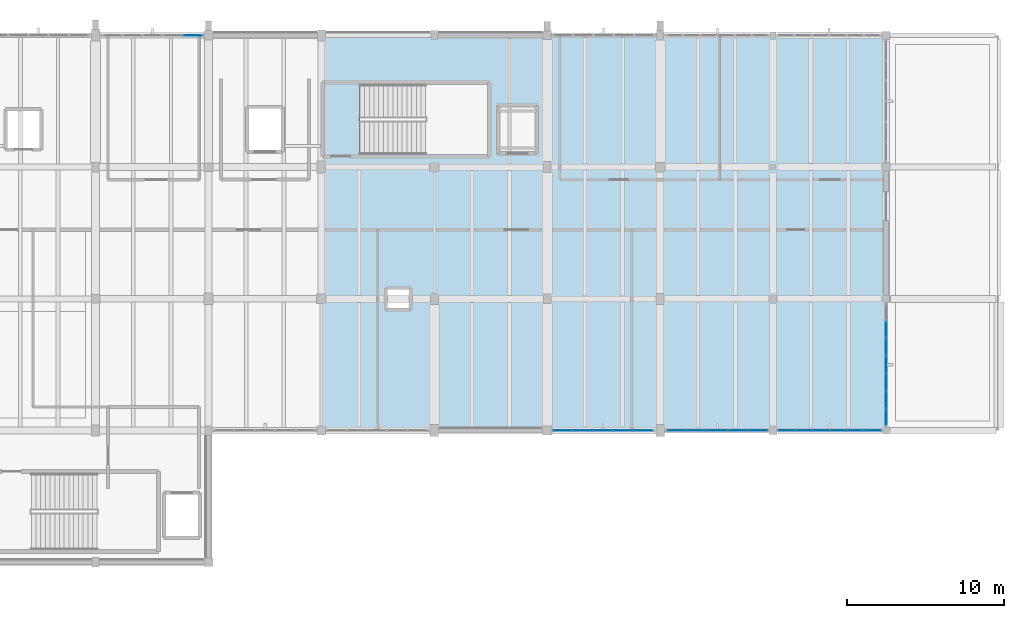
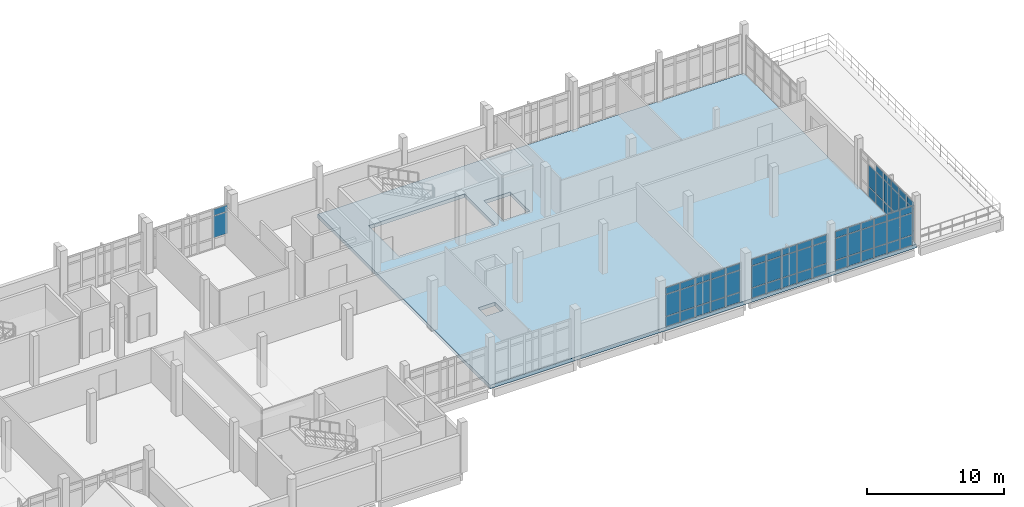
# One storey, part 29 of 41: 67 plates, 1 slab, 5 elements without a shape of their own.
"""IFC4 building model written with IfcOpenShell, lengths in metres."""

from ifc_helpers import new_model, si_unit, direction, frame, origin, origin_2d, place, context, subcontext, project, spatial, polyline, rectangle, outline, extrude, material, layer, layer_set, type_object, element, aggregate, save


model = new_model("IFC4")

# Units and contexts
model_context = context("Model", 3, precision=1e-05, world=origin(), true_north=direction((0.0, 1.0)))
body_context = subcontext(model_context, "Body", "Model", "MODEL_VIEW")
ifc_project = project(units=[si_unit("LENGTHUNIT", "METRE"), si_unit("AREAUNIT", "SQUARE_METRE"), si_unit("VOLUMEUNIT", "CUBIC_METRE"), si_unit("PLANEANGLEUNIT", "RADIAN"), si_unit("MASSUNIT", "GRAM", prefix="KILO")], contexts=[model_context])

# Site, building, storey
site_placement = place(None, origin())
site = spatial("IfcSite", under=ifc_project, at=site_placement, CompositionType="ELEMENT")
building_placement = place(site_placement, origin())
building = spatial("IfcBuilding", under=site, at=building_placement, Name="Kalluvel Institute of Natural Sciences", CompositionType="ELEMENT")
storey_placement = place(building_placement, frame((0.0, 0.0, 32.39990234375)))
storey = spatial("IfcBuildingStorey", under=building, at=storey_placement, Name="L07", CompositionType="ELEMENT", Elevation=32.39990234375)

# Curtain wall, plates
ifc_material_1 = material(Name="Aluminium AW-6063 T6", Category="aluminium")
curtain_wall_type = type_object("IfcCurtainWallType", Name="CW-WET-45", PredefinedType="USERDEFINED", material=ifc_material_1)
curtain_wall_1_placement = place(storey_placement, origin())
curtain_wall_1 = element("IfcCurtainWall", 1, at=curtain_wall_1_placement, inside=storey, type_object=curtain_wall_type, Name="L07 Gothic lancet curtain wall CWA-L07-X504-Y1280", ObjectType="UNITISED LANCET FACADE", PredefinedType="USERDEFINED")
ifc_material_2 = material(Name="Solar-Control Low-E Laminated Glass", Category="glass")
ifc_layer_1 = layer(ifc_material_2, 0.031982421875)
ifc_layer_set_1 = layer_set([ifc_layer_1], Name="Solar-Control Low-E Laminated Glass")
plate_type = type_object("IfcPlateType", Name="CWP-DGU-32", PredefinedType="CURTAIN_PANEL", material=ifc_layer_set_1)
plate_1_placement = place(storey_placement, frame((56.191162109375, 128.0, 0.982666015625), z_axis=(0.0, 0.0, 1.0), x_axis=(1.0, 0.0, 0.0)))
plate_1 = element("IfcPlate", 2, at=plate_1_placement, type_object=plate_type, Name="CW-01 panel 5.2", PredefinedType="CURTAIN_PANEL", context=body_context, shape_type="SweptSolid", body=[
    extrude(rectangle(XDim=1.1875, YDim=0.031982421875, at=origin_2d()), origin(), (0.0, 0.0, 1.0), 1.9150390625),
])
plate_2_placement = place(storey_placement, frame((56.191162109375, 128.0, 2.96240234375), z_axis=(0.0, 0.0, 1.0), x_axis=(1.0, 0.0, 0.0)))
plate_2 = element("IfcPlate", 3, at=plate_2_placement, type_object=plate_type, Name="CW-01 panel 5.3", PredefinedType="CURTAIN_PANEL", context=body_context, shape_type="SweptSolid", body=[
    extrude(rectangle(XDim=1.1875, YDim=0.031982421875, at=origin_2d()), origin(), (0.0, 0.0, 1.0), 0.552490234375),
])
aggregate(curtain_wall_1, [plate_1, plate_2])

curtain_wall_2_placement = place(storey_placement, origin())
curtain_wall_2 = element("IfcCurtainWall", 4, at=curtain_wall_2_placement, inside=storey, type_object=curtain_wall_type, Name="L07 Gothic lancet curtain wall CWA-L07-X792-Y1028", ObjectType="UNITISED LANCET FACADE", PredefinedType="USERDEFINED")
plate_3_placement = place(storey_placement, frame((79.808837890625, 102.800048828125, 0.065185546875), z_axis=(0.0, 0.0, 1.0), x_axis=(1.0, 0.0, 0.0)))
plate_3 = element("IfcPlate", 5, at=plate_3_placement, type_object=plate_type, Name="CW-01 panel 1.1", PredefinedType="CURTAIN_PANEL", context=body_context, shape_type="SweptSolid", body=[
    extrude(rectangle(XDim=1.1875, YDim=0.031982421875, at=origin_2d()), origin(), (0.0, 0.0, 1.0), 0.8525390625),
])
plate_4_placement = place(storey_placement, frame((79.808837890625, 102.800048828125, 0.982666015625), z_axis=(0.0, 0.0, 1.0), x_axis=(1.0, 0.0, 0.0)))
plate_4 = element("IfcPlate", 6, at=plate_4_placement, type_object=plate_type, Name="CW-01 panel 1.2", PredefinedType="CURTAIN_PANEL", context=body_context, shape_type="SweptSolid", body=[
    extrude(rectangle(XDim=1.1875, YDim=0.031982421875, at=origin_2d()), origin(), (0.0, 0.0, 1.0), 1.9150390625),
])
plate_5_placement = place(storey_placement, frame((79.808837890625, 102.800048828125, 2.96240234375), z_axis=(0.0, 0.0, 1.0), x_axis=(1.0, 0.0, 0.0)))
plate_5 = element("IfcPlate", 7, at=plate_5_placement, type_object=plate_type, Name="CW-01 panel 1.3", PredefinedType="CURTAIN_PANEL", context=body_context, shape_type="SweptSolid", body=[
    extrude(rectangle(XDim=1.1875, YDim=0.031982421875, at=origin_2d()), origin(), (0.0, 0.0, 1.0), 0.552490234375),
])
plate_6_placement = place(storey_placement, frame((81.077392578125, 102.800048828125, 0.065185546875), z_axis=(0.0, 0.0, 1.0), x_axis=(1.0, 0.0, 0.0)))
plate_6 = element("IfcPlate", 8, at=plate_6_placement, type_object=plate_type, Name="CW-01 panel 2.1", PredefinedType="CURTAIN_PANEL", context=body_context, shape_type="SweptSolid", body=[
    extrude(rectangle(XDim=1.219970703125, YDim=0.031982421875, at=origin_2d()), origin(), (0.0, 0.0, 1.0), 0.8525390625),
])
plate_7_placement = place(storey_placement, frame((81.077392578125, 102.800048828125, 0.982666015625), z_axis=(0.0, 0.0, 1.0), x_axis=(1.0, 0.0, 0.0)))
plate_7 = element("IfcPlate", 9, at=plate_7_placement, type_object=plate_type, Name="CW-01 panel 2.2", PredefinedType="CURTAIN_PANEL", context=body_context, shape_type="SweptSolid", body=[
    extrude(rectangle(XDim=1.219970703125, YDim=0.031982421875, at=origin_2d()), origin(), (0.0, 0.0, 1.0), 1.9150390625),
])
plate_8_placement = place(storey_placement, frame((81.077392578125, 102.800048828125, 2.96240234375), z_axis=(0.0, 0.0, 1.0), x_axis=(1.0, 0.0, 0.0)))
plate_8 = element("IfcPlate", 10, at=plate_8_placement, type_object=plate_type, Name="CW-01 panel 2.3", PredefinedType="CURTAIN_PANEL", context=body_context, shape_type="SweptSolid", body=[
    extrude(rectangle(XDim=1.219970703125, YDim=0.031982421875, at=origin_2d()), origin(), (0.0, 0.0, 1.0), 0.552490234375),
])
plate_9_placement = place(storey_placement, frame((82.362548828125, 102.800048828125, 0.065185546875), z_axis=(0.0, 0.0, 1.0), x_axis=(1.0, 0.0, 0.0)))
plate_9 = element("IfcPlate", 11, at=plate_9_placement, type_object=plate_type, Name="CW-01 panel 3.1", PredefinedType="CURTAIN_PANEL", context=body_context, shape_type="SweptSolid", body=[
    extrude(rectangle(XDim=1.219970703125, YDim=0.031982421875, at=origin_2d()), origin(), (0.0, 0.0, 1.0), 0.8525390625),
])
plate_10_placement = place(storey_placement, frame((82.362548828125, 102.800048828125, 0.982666015625), z_axis=(0.0, 0.0, 1.0), x_axis=(1.0, 0.0, 0.0)))
plate_10 = element("IfcPlate", 12, at=plate_10_placement, type_object=plate_type, Name="CW-01 panel 3.2", PredefinedType="CURTAIN_PANEL", context=body_context, shape_type="SweptSolid", body=[
    extrude(rectangle(XDim=1.219970703125, YDim=0.031982421875, at=origin_2d()), origin(), (0.0, 0.0, 1.0), 1.9150390625),
])
plate_11_placement = place(storey_placement, frame((82.362548828125, 102.800048828125, 2.96240234375), z_axis=(0.0, 0.0, 1.0), x_axis=(1.0, 0.0, 0.0)))
plate_11 = element("IfcPlate", 13, at=plate_11_placement, type_object=plate_type, Name="CW-01 panel 3.3", PredefinedType="CURTAIN_PANEL", context=body_context, shape_type="SweptSolid", body=[
    extrude(rectangle(XDim=1.219970703125, YDim=0.031982421875, at=origin_2d()), origin(), (0.0, 0.0, 1.0), 0.552490234375),
])
plate_12_placement = place(storey_placement, frame((83.6474609375, 102.800048828125, 0.065185546875), z_axis=(0.0, 0.0, 1.0), x_axis=(1.0, 0.0, 0.0)))
plate_12 = element("IfcPlate", 14, at=plate_12_placement, type_object=plate_type, Name="CW-01 panel 4.1", PredefinedType="CURTAIN_PANEL", context=body_context, shape_type="SweptSolid", body=[
    extrude(rectangle(XDim=1.219970703125, YDim=0.031982421875, at=origin_2d()), origin(), (0.0, 0.0, 1.0), 0.8525390625),
])
plate_13_placement = place(storey_placement, frame((83.6474609375, 102.800048828125, 0.982666015625), z_axis=(0.0, 0.0, 1.0), x_axis=(1.0, 0.0, 0.0)))
plate_13 = element("IfcPlate", 15, at=plate_13_placement, type_object=plate_type, Name="CW-01 panel 4.2", PredefinedType="CURTAIN_PANEL", context=body_context, shape_type="SweptSolid", body=[
    extrude(rectangle(XDim=1.219970703125, YDim=0.031982421875, at=origin_2d()), origin(), (0.0, 0.0, 1.0), 1.9150390625),
])
plate_14_placement = place(storey_placement, frame((83.6474609375, 102.800048828125, 2.96240234375), z_axis=(0.0, 0.0, 1.0), x_axis=(1.0, 0.0, 0.0)))
plate_14 = element("IfcPlate", 16, at=plate_14_placement, type_object=plate_type, Name="CW-01 panel 4.3", PredefinedType="CURTAIN_PANEL", context=body_context, shape_type="SweptSolid", body=[
    extrude(rectangle(XDim=1.219970703125, YDim=0.031982421875, at=origin_2d()), origin(), (0.0, 0.0, 1.0), 0.552490234375),
])
plate_15_placement = place(storey_placement, frame((84.916259765625, 102.800048828125, 0.065185546875), z_axis=(0.0, 0.0, 1.0), x_axis=(1.0, 0.0, 0.0)))
plate_15 = element("IfcPlate", 17, at=plate_15_placement, type_object=plate_type, Name="CW-01 panel 5.1", PredefinedType="CURTAIN_PANEL", context=body_context, shape_type="SweptSolid", body=[
    extrude(rectangle(XDim=1.1875, YDim=0.031982421875, at=origin_2d()), origin(), (0.0, 0.0, 1.0), 0.8525390625),
])
plate_16_placement = place(storey_placement, frame((84.916259765625, 102.800048828125, 0.982666015625), z_axis=(0.0, 0.0, 1.0), x_axis=(1.0, 0.0, 0.0)))
plate_16 = element("IfcPlate", 18, at=plate_16_placement, type_object=plate_type, Name="CW-01 panel 5.2", PredefinedType="CURTAIN_PANEL", context=body_context, shape_type="SweptSolid", body=[
    extrude(rectangle(XDim=1.1875, YDim=0.031982421875, at=origin_2d()), origin(), (0.0, 0.0, 1.0), 1.9150390625),
])
plate_17_placement = place(storey_placement, frame((84.916259765625, 102.800048828125, 2.96240234375), z_axis=(0.0, 0.0, 1.0), x_axis=(1.0, 0.0, 0.0)))
plate_17 = element("IfcPlate", 19, at=plate_17_placement, type_object=plate_type, Name="CW-01 panel 5.3", PredefinedType="CURTAIN_PANEL", context=body_context, shape_type="SweptSolid", body=[
    extrude(rectangle(XDim=1.1875, YDim=0.031982421875, at=origin_2d()), origin(), (0.0, 0.0, 1.0), 0.552490234375),
])
aggregate(curtain_wall_2, [plate_3, plate_4, plate_5, plate_6, plate_7, plate_8, plate_9, plate_10, plate_11, plate_12, plate_13, plate_14, plate_15, plate_16, plate_17])

curtain_wall_3_placement = place(storey_placement, origin())
curtain_wall_3 = element("IfcCurtainWall", 20, at=curtain_wall_3_placement, inside=storey, type_object=curtain_wall_type, Name="L07 Gothic lancet curtain wall CWA-L07-X864-Y1028", ObjectType="UNITISED LANCET FACADE", PredefinedType="USERDEFINED")
plate_18_placement = place(storey_placement, frame((87.0888671875, 102.800048828125, 0.065185546875), z_axis=(0.0, 0.0, 1.0), x_axis=(1.0, 0.0, 0.0)))
plate_18 = element("IfcPlate", 21, at=plate_18_placement, type_object=plate_type, Name="CW-01 panel 1.1", PredefinedType="CURTAIN_PANEL", context=body_context, shape_type="SweptSolid", body=[
    extrude(rectangle(XDim=1.197509765625, YDim=0.031982421875, at=origin_2d()), origin(), (0.0, 0.0, 1.0), 0.8525390625),
])
plate_19_placement = place(storey_placement, frame((87.0888671875, 102.800048828125, 0.982666015625), z_axis=(0.0, 0.0, 1.0), x_axis=(1.0, 0.0, 0.0)))
plate_19 = element("IfcPlate", 22, at=plate_19_placement, type_object=plate_type, Name="CW-01 panel 1.2", PredefinedType="CURTAIN_PANEL", context=body_context, shape_type="SweptSolid", body=[
    extrude(rectangle(XDim=1.197509765625, YDim=0.031982421875, at=origin_2d()), origin(), (0.0, 0.0, 1.0), 1.9150390625),
])
plate_20_placement = place(storey_placement, frame((87.0888671875, 102.800048828125, 2.96240234375), z_axis=(0.0, 0.0, 1.0), x_axis=(1.0, 0.0, 0.0)))
plate_20 = element("IfcPlate", 23, at=plate_20_placement, type_object=plate_type, Name="CW-01 panel 1.3", PredefinedType="CURTAIN_PANEL", context=body_context, shape_type="SweptSolid", body=[
    extrude(rectangle(XDim=1.197509765625, YDim=0.031982421875, at=origin_2d()), origin(), (0.0, 0.0, 1.0), 0.552490234375),
])
plate_21_placement = place(storey_placement, frame((88.367431640625, 102.800048828125, 0.065185546875), z_axis=(0.0, 0.0, 1.0), x_axis=(1.0, 0.0, 0.0)))
plate_21 = element("IfcPlate", 24, at=plate_21_placement, type_object=plate_type, Name="CW-01 panel 2.1", PredefinedType="CURTAIN_PANEL", context=body_context, shape_type="SweptSolid", body=[
    extrude(rectangle(XDim=1.22998046875, YDim=0.031982421875, at=origin_2d()), origin(), (0.0, 0.0, 1.0), 0.8525390625),
])
plate_22_placement = place(storey_placement, frame((88.367431640625, 102.800048828125, 0.982666015625), z_axis=(0.0, 0.0, 1.0), x_axis=(1.0, 0.0, 0.0)))
plate_22 = element("IfcPlate", 25, at=plate_22_placement, type_object=plate_type, Name="CW-01 panel 2.2", PredefinedType="CURTAIN_PANEL", context=body_context, shape_type="SweptSolid", body=[
    extrude(rectangle(XDim=1.22998046875, YDim=0.031982421875, at=origin_2d()), origin(), (0.0, 0.0, 1.0), 1.9150390625),
])
plate_23_placement = place(storey_placement, frame((88.367431640625, 102.800048828125, 2.96240234375), z_axis=(0.0, 0.0, 1.0), x_axis=(1.0, 0.0, 0.0)))
plate_23 = element("IfcPlate", 26, at=plate_23_placement, type_object=plate_type, Name="CW-01 panel 2.3", PredefinedType="CURTAIN_PANEL", context=body_context, shape_type="SweptSolid", body=[
    extrude(rectangle(XDim=1.22998046875, YDim=0.031982421875, at=origin_2d()), origin(), (0.0, 0.0, 1.0), 0.552490234375),
])
plate_24_placement = place(storey_placement, frame((89.66259765625, 102.800048828125, 0.065185546875), z_axis=(0.0, 0.0, 1.0), x_axis=(1.0, 0.0, 0.0)))
plate_24 = element("IfcPlate", 27, at=plate_24_placement, type_object=plate_type, Name="CW-01 panel 3.1", PredefinedType="CURTAIN_PANEL", context=body_context, shape_type="SweptSolid", body=[
    extrude(rectangle(XDim=1.22998046875, YDim=0.031982421875, at=origin_2d()), origin(), (0.0, 0.0, 1.0), 0.8525390625),
])
plate_25_placement = place(storey_placement, frame((89.66259765625, 102.800048828125, 0.982666015625), z_axis=(0.0, 0.0, 1.0), x_axis=(1.0, 0.0, 0.0)))
plate_25 = element("IfcPlate", 28, at=plate_25_placement, type_object=plate_type, Name="CW-01 panel 3.2", PredefinedType="CURTAIN_PANEL", context=body_context, shape_type="SweptSolid", body=[
    extrude(rectangle(XDim=1.22998046875, YDim=0.031982421875, at=origin_2d()), origin(), (0.0, 0.0, 1.0), 1.9150390625),
])
plate_26_placement = place(storey_placement, frame((89.66259765625, 102.800048828125, 2.96240234375), z_axis=(0.0, 0.0, 1.0), x_axis=(1.0, 0.0, 0.0)))
plate_26 = element("IfcPlate", 29, at=plate_26_placement, type_object=plate_type, Name="CW-01 panel 3.3", PredefinedType="CURTAIN_PANEL", context=body_context, shape_type="SweptSolid", body=[
    extrude(rectangle(XDim=1.22998046875, YDim=0.031982421875, at=origin_2d()), origin(), (0.0, 0.0, 1.0), 0.552490234375),
])
plate_27_placement = place(storey_placement, frame((90.95751953125, 102.800048828125, 0.065185546875), z_axis=(0.0, 0.0, 1.0), x_axis=(1.0, 0.0, 0.0)))
plate_27 = element("IfcPlate", 30, at=plate_27_placement, type_object=plate_type, Name="CW-01 panel 4.1", PredefinedType="CURTAIN_PANEL", context=body_context, shape_type="SweptSolid", body=[
    extrude(rectangle(XDim=1.22998046875, YDim=0.031982421875, at=origin_2d()), origin(), (0.0, 0.0, 1.0), 0.8525390625),
])
plate_28_placement = place(storey_placement, frame((90.95751953125, 102.800048828125, 0.982666015625), z_axis=(0.0, 0.0, 1.0), x_axis=(1.0, 0.0, 0.0)))
plate_28 = element("IfcPlate", 31, at=plate_28_placement, type_object=plate_type, Name="CW-01 panel 4.2", PredefinedType="CURTAIN_PANEL", context=body_context, shape_type="SweptSolid", body=[
    extrude(rectangle(XDim=1.22998046875, YDim=0.031982421875, at=origin_2d()), origin(), (0.0, 0.0, 1.0), 1.9150390625),
])
plate_29_placement = place(storey_placement, frame((90.95751953125, 102.800048828125, 2.96240234375), z_axis=(0.0, 0.0, 1.0), x_axis=(1.0, 0.0, 0.0)))
plate_29 = element("IfcPlate", 32, at=plate_29_placement, type_object=plate_type, Name="CW-01 panel 4.3", PredefinedType="CURTAIN_PANEL", context=body_context, shape_type="SweptSolid", body=[
    extrude(rectangle(XDim=1.22998046875, YDim=0.031982421875, at=origin_2d()), origin(), (0.0, 0.0, 1.0), 0.552490234375),
])
plate_30_placement = place(storey_placement, frame((92.236328125, 102.800048828125, 0.065185546875), z_axis=(0.0, 0.0, 1.0), x_axis=(1.0, 0.0, 0.0)))
plate_30 = element("IfcPlate", 33, at=plate_30_placement, type_object=plate_type, Name="CW-01 panel 5.1", PredefinedType="CURTAIN_PANEL", context=body_context, shape_type="SweptSolid", body=[
    extrude(rectangle(XDim=1.197509765625, YDim=0.031982421875, at=origin_2d()), origin(), (0.0, 0.0, 1.0), 0.8525390625),
])
plate_31_placement = place(storey_placement, frame((92.236328125, 102.800048828125, 0.982666015625), z_axis=(0.0, 0.0, 1.0), x_axis=(1.0, 0.0, 0.0)))
plate_31 = element("IfcPlate", 34, at=plate_31_placement, type_object=plate_type, Name="CW-01 panel 5.2", PredefinedType="CURTAIN_PANEL", context=body_context, shape_type="SweptSolid", body=[
    extrude(rectangle(XDim=1.197509765625, YDim=0.031982421875, at=origin_2d()), origin(), (0.0, 0.0, 1.0), 1.9150390625),
])
plate_32_placement = place(storey_placement, frame((92.236328125, 102.800048828125, 2.96240234375), z_axis=(0.0, 0.0, 1.0), x_axis=(1.0, 0.0, 0.0)))
plate_32 = element("IfcPlate", 35, at=plate_32_placement, type_object=plate_type, Name="CW-01 panel 5.3", PredefinedType="CURTAIN_PANEL", context=body_context, shape_type="SweptSolid", body=[
    extrude(rectangle(XDim=1.197509765625, YDim=0.031982421875, at=origin_2d()), origin(), (0.0, 0.0, 1.0), 0.552490234375),
])
aggregate(curtain_wall_3, [plate_18, plate_19, plate_20, plate_21, plate_22, plate_23, plate_24, plate_25, plate_26, plate_27, plate_28, plate_29, plate_30, plate_31, plate_32])

curtain_wall_4_placement = place(storey_placement, origin())
curtain_wall_4 = element("IfcCurtainWall", 36, at=curtain_wall_4_placement, inside=storey, type_object=curtain_wall_type, Name="L07 Gothic lancet curtain wall CWA-L07-X935-Y1028", ObjectType="UNITISED LANCET FACADE", PredefinedType="USERDEFINED")
plate_33_placement = place(storey_placement, frame((94.068359375, 102.800048828125, 0.065185546875), z_axis=(0.0, 0.0, 1.0), x_axis=(1.0, 0.0, 0.0)))
plate_33 = element("IfcPlate", 37, at=plate_33_placement, type_object=plate_type, Name="CW-01 panel 1.1", PredefinedType="CURTAIN_PANEL", context=body_context, shape_type="SweptSolid", body=[
    extrude(rectangle(XDim=1.006591796875, YDim=0.031982421875, at=origin_2d()), origin(), (0.0, 0.0, 1.0), 0.8525390625),
])
plate_34_placement = place(storey_placement, frame((94.068359375, 102.800048828125, 0.982666015625), z_axis=(0.0, 0.0, 1.0), x_axis=(1.0, 0.0, 0.0)))
plate_34 = element("IfcPlate", 38, at=plate_34_placement, type_object=plate_type, Name="CW-01 panel 1.2", PredefinedType="CURTAIN_PANEL", context=body_context, shape_type="SweptSolid", body=[
    extrude(rectangle(XDim=1.006591796875, YDim=0.031982421875, at=origin_2d()), origin(), (0.0, 0.0, 1.0), 1.9150390625),
])
plate_35_placement = place(storey_placement, frame((94.068359375, 102.800048828125, 2.96240234375), z_axis=(0.0, 0.0, 1.0), x_axis=(1.0, 0.0, 0.0)))
plate_35 = element("IfcPlate", 39, at=plate_35_placement, type_object=plate_type, Name="CW-01 panel 1.3", PredefinedType="CURTAIN_PANEL", context=body_context, shape_type="SweptSolid", body=[
    extrude(rectangle(XDim=1.006591796875, YDim=0.031982421875, at=origin_2d()), origin(), (0.0, 0.0, 1.0), 0.552490234375),
])
plate_36_placement = place(storey_placement, frame((95.15625, 102.800048828125, 0.065185546875), z_axis=(0.0, 0.0, 1.0), x_axis=(1.0, 0.0, 0.0)))
plate_36 = element("IfcPlate", 40, at=plate_36_placement, type_object=plate_type, Name="CW-01 panel 2.1", PredefinedType="CURTAIN_PANEL", context=body_context, shape_type="SweptSolid", body=[
    extrude(rectangle(XDim=1.0390625, YDim=0.031982421875, at=origin_2d()), origin(), (0.0, 0.0, 1.0), 0.8525390625),
])
plate_37_placement = place(storey_placement, frame((95.15625, 102.800048828125, 0.982666015625), z_axis=(0.0, 0.0, 1.0), x_axis=(1.0, 0.0, 0.0)))
plate_37 = element("IfcPlate", 41, at=plate_37_placement, type_object=plate_type, Name="CW-01 panel 2.2", PredefinedType="CURTAIN_PANEL", context=body_context, shape_type="SweptSolid", body=[
    extrude(rectangle(XDim=1.0390625, YDim=0.031982421875, at=origin_2d()), origin(), (0.0, 0.0, 1.0), 1.9150390625),
])
plate_38_placement = place(storey_placement, frame((95.15625, 102.800048828125, 2.96240234375), z_axis=(0.0, 0.0, 1.0), x_axis=(1.0, 0.0, 0.0)))
plate_38 = element("IfcPlate", 42, at=plate_38_placement, type_object=plate_type, Name="CW-01 panel 2.3", PredefinedType="CURTAIN_PANEL", context=body_context, shape_type="SweptSolid", body=[
    extrude(rectangle(XDim=1.0390625, YDim=0.031982421875, at=origin_2d()), origin(), (0.0, 0.0, 1.0), 0.552490234375),
])
plate_39_placement = place(storey_placement, frame((96.260498046875, 102.800048828125, 0.065185546875), z_axis=(0.0, 0.0, 1.0), x_axis=(1.0, 0.0, 0.0)))
plate_39 = element("IfcPlate", 43, at=plate_39_placement, type_object=plate_type, Name="CW-01 panel 3.1", PredefinedType="CURTAIN_PANEL", context=body_context, shape_type="SweptSolid", body=[
    extrude(rectangle(XDim=1.0390625, YDim=0.031982421875, at=origin_2d()), origin(), (0.0, 0.0, 1.0), 0.8525390625),
])
plate_40_placement = place(storey_placement, frame((96.260498046875, 102.800048828125, 0.982666015625), z_axis=(0.0, 0.0, 1.0), x_axis=(1.0, 0.0, 0.0)))
plate_40 = element("IfcPlate", 44, at=plate_40_placement, type_object=plate_type, Name="CW-01 panel 3.2", PredefinedType="CURTAIN_PANEL", context=body_context, shape_type="SweptSolid", body=[
    extrude(rectangle(XDim=1.0390625, YDim=0.031982421875, at=origin_2d()), origin(), (0.0, 0.0, 1.0), 1.9150390625),
])
plate_41_placement = place(storey_placement, frame((96.260498046875, 102.800048828125, 2.96240234375), z_axis=(0.0, 0.0, 1.0), x_axis=(1.0, 0.0, 0.0)))
plate_41 = element("IfcPlate", 45, at=plate_41_placement, type_object=plate_type, Name="CW-01 panel 3.3", PredefinedType="CURTAIN_PANEL", context=body_context, shape_type="SweptSolid", body=[
    extrude(rectangle(XDim=1.0390625, YDim=0.031982421875, at=origin_2d()), origin(), (0.0, 0.0, 1.0), 0.552490234375),
])
plate_42_placement = place(storey_placement, frame((97.364501953125, 102.800048828125, 0.065185546875), z_axis=(0.0, 0.0, 1.0), x_axis=(1.0, 0.0, 0.0)))
plate_42 = element("IfcPlate", 46, at=plate_42_placement, type_object=plate_type, Name="CW-01 panel 4.1", PredefinedType="CURTAIN_PANEL", context=body_context, shape_type="SweptSolid", body=[
    extrude(rectangle(XDim=1.0390625, YDim=0.031982421875, at=origin_2d()), origin(), (0.0, 0.0, 1.0), 0.8525390625),
])
plate_43_placement = place(storey_placement, frame((97.364501953125, 102.800048828125, 0.982666015625), z_axis=(0.0, 0.0, 1.0), x_axis=(1.0, 0.0, 0.0)))
plate_43 = element("IfcPlate", 47, at=plate_43_placement, type_object=plate_type, Name="CW-01 panel 4.2", PredefinedType="CURTAIN_PANEL", context=body_context, shape_type="SweptSolid", body=[
    extrude(rectangle(XDim=1.0390625, YDim=0.031982421875, at=origin_2d()), origin(), (0.0, 0.0, 1.0), 1.9150390625),
])
plate_44_placement = place(storey_placement, frame((97.364501953125, 102.800048828125, 2.96240234375), z_axis=(0.0, 0.0, 1.0), x_axis=(1.0, 0.0, 0.0)))
plate_44 = element("IfcPlate", 48, at=plate_44_placement, type_object=plate_type, Name="CW-01 panel 4.3", PredefinedType="CURTAIN_PANEL", context=body_context, shape_type="SweptSolid", body=[
    extrude(rectangle(XDim=1.0390625, YDim=0.031982421875, at=origin_2d()), origin(), (0.0, 0.0, 1.0), 0.552490234375),
])
plate_45_placement = place(storey_placement, frame((98.46875, 102.800048828125, 0.065185546875), z_axis=(0.0, 0.0, 1.0), x_axis=(1.0, 0.0, 0.0)))
plate_45 = element("IfcPlate", 49, at=plate_45_placement, type_object=plate_type, Name="CW-01 panel 5.1", PredefinedType="CURTAIN_PANEL", context=body_context, shape_type="SweptSolid", body=[
    extrude(rectangle(XDim=1.0390625, YDim=0.031982421875, at=origin_2d()), origin(), (0.0, 0.0, 1.0), 0.8525390625),
])
plate_46_placement = place(storey_placement, frame((98.46875, 102.800048828125, 0.982666015625), z_axis=(0.0, 0.0, 1.0), x_axis=(1.0, 0.0, 0.0)))
plate_46 = element("IfcPlate", 50, at=plate_46_placement, type_object=plate_type, Name="CW-01 panel 5.2", PredefinedType="CURTAIN_PANEL", context=body_context, shape_type="SweptSolid", body=[
    extrude(rectangle(XDim=1.0390625, YDim=0.031982421875, at=origin_2d()), origin(), (0.0, 0.0, 1.0), 1.9150390625),
])
plate_47_placement = place(storey_placement, frame((98.46875, 102.800048828125, 2.96240234375), z_axis=(0.0, 0.0, 1.0), x_axis=(1.0, 0.0, 0.0)))
plate_47 = element("IfcPlate", 51, at=plate_47_placement, type_object=plate_type, Name="CW-01 panel 5.3", PredefinedType="CURTAIN_PANEL", context=body_context, shape_type="SweptSolid", body=[
    extrude(rectangle(XDim=1.0390625, YDim=0.031982421875, at=origin_2d()), origin(), (0.0, 0.0, 1.0), 0.552490234375),
])
plate_48_placement = place(storey_placement, frame((99.556640625, 102.800048828125, 0.065185546875), z_axis=(0.0, 0.0, 1.0), x_axis=(1.0, 0.0, 0.0)))
plate_48 = element("IfcPlate", 52, at=plate_48_placement, type_object=plate_type, Name="CW-01 panel 6.1", PredefinedType="CURTAIN_PANEL", context=body_context, shape_type="SweptSolid", body=[
    extrude(rectangle(XDim=1.006591796875, YDim=0.031982421875, at=origin_2d()), origin(), (0.0, 0.0, 1.0), 0.8525390625),
])
plate_49_placement = place(storey_placement, frame((99.556640625, 102.800048828125, 0.982666015625), z_axis=(0.0, 0.0, 1.0), x_axis=(1.0, 0.0, 0.0)))
plate_49 = element("IfcPlate", 53, at=plate_49_placement, type_object=plate_type, Name="CW-01 panel 6.2", PredefinedType="CURTAIN_PANEL", context=body_context, shape_type="SweptSolid", body=[
    extrude(rectangle(XDim=1.006591796875, YDim=0.031982421875, at=origin_2d()), origin(), (0.0, 0.0, 1.0), 1.9150390625),
])
plate_50_placement = place(storey_placement, frame((99.556640625, 102.800048828125, 2.96240234375), z_axis=(0.0, 0.0, 1.0), x_axis=(1.0, 0.0, 0.0)))
plate_50 = element("IfcPlate", 54, at=plate_50_placement, type_object=plate_type, Name="CW-01 panel 6.3", PredefinedType="CURTAIN_PANEL", context=body_context, shape_type="SweptSolid", body=[
    extrude(rectangle(XDim=1.006591796875, YDim=0.031982421875, at=origin_2d()), origin(), (0.0, 0.0, 1.0), 0.552490234375),
])
aggregate(curtain_wall_4, [plate_33, plate_34, plate_35, plate_36, plate_37, plate_38, plate_39, plate_40, plate_41, plate_42, plate_43, plate_44, plate_45, plate_46, plate_47, plate_48, plate_49, plate_50])

curtain_wall_5_placement = place(storey_placement, origin())
curtain_wall_5 = element("IfcCurtainWall", 55, at=curtain_wall_5_placement, inside=storey, type_object=curtain_wall_type, Name="L07 Gothic lancet curtain wall CWA-L07-X1004-Y1031", ObjectType="UNITISED LANCET FACADE", PredefinedType="USERDEFINED")
plate_51_placement = place(storey_placement, frame((100.39990234375, 103.65185546875, 0.065185546875), z_axis=(0.0, 0.0, 1.0), x_axis=(0.0, 1.0, 0.0)))
plate_51 = element("IfcPlate", 56, at=plate_51_placement, type_object=plate_type, Name="CW-01 panel 1.1", PredefinedType="CURTAIN_PANEL", context=body_context, shape_type="SweptSolid", body=[
    extrude(rectangle(XDim=1.02392578125, YDim=0.031982421875, at=origin_2d()), origin(), (0.0, 0.0, 1.0), 0.8525390625),
])
plate_52_placement = place(storey_placement, frame((100.39990234375, 103.65185546875, 0.982666015625), z_axis=(0.0, 0.0, 1.0), x_axis=(0.0, 1.0, 0.0)))
plate_52 = element("IfcPlate", 57, at=plate_52_placement, type_object=plate_type, Name="CW-01 panel 1.2", PredefinedType="CURTAIN_PANEL", context=body_context, shape_type="SweptSolid", body=[
    extrude(rectangle(XDim=1.02392578125, YDim=0.031982421875, at=origin_2d()), origin(), (0.0, 0.0, 1.0), 1.9150390625),
])
plate_53_placement = place(storey_placement, frame((100.39990234375, 103.65185546875, 2.96240234375), z_axis=(0.0, 0.0, 1.0), x_axis=(0.0, 1.0, 0.0)))
plate_53 = element("IfcPlate", 58, at=plate_53_placement, type_object=plate_type, Name="CW-01 panel 1.3", PredefinedType="CURTAIN_PANEL", context=body_context, shape_type="SweptSolid", body=[
    extrude(rectangle(XDim=1.02392578125, YDim=0.031982421875, at=origin_2d()), origin(), (0.0, 0.0, 1.0), 0.552490234375),
])
plate_54_placement = place(storey_placement, frame((100.39990234375, 104.757080078125, 0.065185546875), z_axis=(0.0, 0.0, 1.0), x_axis=(0.0, 1.0, 0.0)))
plate_54 = element("IfcPlate", 59, at=plate_54_placement, type_object=plate_type, Name="CW-01 panel 2.1", PredefinedType="CURTAIN_PANEL", context=body_context, shape_type="SweptSolid", body=[
    extrude(rectangle(XDim=1.056396484375, YDim=0.031982421875, at=origin_2d()), origin(), (0.0, 0.0, 1.0), 0.8525390625),
])
plate_55_placement = place(storey_placement, frame((100.39990234375, 104.757080078125, 0.982666015625), z_axis=(0.0, 0.0, 1.0), x_axis=(0.0, 1.0, 0.0)))
plate_55 = element("IfcPlate", 60, at=plate_55_placement, type_object=plate_type, Name="CW-01 panel 2.2", PredefinedType="CURTAIN_PANEL", context=body_context, shape_type="SweptSolid", body=[
    extrude(rectangle(XDim=1.056396484375, YDim=0.031982421875, at=origin_2d()), origin(), (0.0, 0.0, 1.0), 1.9150390625),
])
plate_56_placement = place(storey_placement, frame((100.39990234375, 104.757080078125, 2.96240234375), z_axis=(0.0, 0.0, 1.0), x_axis=(0.0, 1.0, 0.0)))
plate_56 = element("IfcPlate", 61, at=plate_56_placement, type_object=plate_type, Name="CW-01 panel 2.3", PredefinedType="CURTAIN_PANEL", context=body_context, shape_type="SweptSolid", body=[
    extrude(rectangle(XDim=1.056396484375, YDim=0.031982421875, at=origin_2d()), origin(), (0.0, 0.0, 1.0), 0.552490234375),
])
plate_57_placement = place(storey_placement, frame((100.39990234375, 105.878662109375, 0.065185546875), z_axis=(0.0, 0.0, 1.0), x_axis=(0.0, 1.0, 0.0)))
plate_57 = element("IfcPlate", 62, at=plate_57_placement, type_object=plate_type, Name="CW-01 panel 3.1", PredefinedType="CURTAIN_PANEL", context=body_context, shape_type="SweptSolid", body=[
    extrude(rectangle(XDim=1.056396484375, YDim=0.031982421875, at=origin_2d()), origin(), (0.0, 0.0, 1.0), 0.8525390625),
])
plate_58_placement = place(storey_placement, frame((100.39990234375, 105.878662109375, 0.982666015625), z_axis=(0.0, 0.0, 1.0), x_axis=(0.0, 1.0, 0.0)))
plate_58 = element("IfcPlate", 63, at=plate_58_placement, type_object=plate_type, Name="CW-01 panel 3.2", PredefinedType="CURTAIN_PANEL", context=body_context, shape_type="SweptSolid", body=[
    extrude(rectangle(XDim=1.056396484375, YDim=0.031982421875, at=origin_2d()), origin(), (0.0, 0.0, 1.0), 1.9150390625),
])
plate_59_placement = place(storey_placement, frame((100.39990234375, 105.878662109375, 2.96240234375), z_axis=(0.0, 0.0, 1.0), x_axis=(0.0, 1.0, 0.0)))
plate_59 = element("IfcPlate", 64, at=plate_59_placement, type_object=plate_type, Name="CW-01 panel 3.3", PredefinedType="CURTAIN_PANEL", context=body_context, shape_type="SweptSolid", body=[
    extrude(rectangle(XDim=1.056396484375, YDim=0.031982421875, at=origin_2d()), origin(), (0.0, 0.0, 1.0), 0.552490234375),
])
plate_60_placement = place(storey_placement, frame((100.39990234375, 107.0, 0.065185546875), z_axis=(0.0, 0.0, 1.0), x_axis=(0.0, 1.0, 0.0)))
plate_60 = element("IfcPlate", 65, at=plate_60_placement, type_object=plate_type, Name="CW-01 panel 4.1", PredefinedType="CURTAIN_PANEL", context=body_context, shape_type="SweptSolid", body=[
    extrude(rectangle(XDim=1.056396484375, YDim=0.031982421875, at=origin_2d()), origin(), (0.0, 0.0, 1.0), 0.8525390625),
])
plate_61_placement = place(storey_placement, frame((100.39990234375, 107.0, 0.982666015625), z_axis=(0.0, 0.0, 1.0), x_axis=(0.0, 1.0, 0.0)))
plate_61 = element("IfcPlate", 66, at=plate_61_placement, type_object=plate_type, Name="CW-01 panel 4.2", PredefinedType="CURTAIN_PANEL", context=body_context, shape_type="SweptSolid", body=[
    extrude(rectangle(XDim=1.056396484375, YDim=0.031982421875, at=origin_2d()), origin(), (0.0, 0.0, 1.0), 1.9150390625),
])
plate_62_placement = place(storey_placement, frame((100.39990234375, 107.0, 2.96240234375), z_axis=(0.0, 0.0, 1.0), x_axis=(0.0, 1.0, 0.0)))
plate_62 = element("IfcPlate", 67, at=plate_62_placement, type_object=plate_type, Name="CW-01 panel 4.3", PredefinedType="CURTAIN_PANEL", context=body_context, shape_type="SweptSolid", body=[
    extrude(rectangle(XDim=1.056396484375, YDim=0.031982421875, at=origin_2d()), origin(), (0.0, 0.0, 1.0), 0.552490234375),
])
plate_63_placement = place(storey_placement, frame((100.39990234375, 108.121337890625, 0.065185546875), z_axis=(0.0, 0.0, 1.0), x_axis=(0.0, 1.0, 0.0)))
plate_63 = element("IfcPlate", 68, at=plate_63_placement, type_object=plate_type, Name="CW-01 panel 5.1", PredefinedType="CURTAIN_PANEL", context=body_context, shape_type="SweptSolid", body=[
    extrude(rectangle(XDim=1.056396484375, YDim=0.031982421875, at=origin_2d()), origin(), (0.0, 0.0, 1.0), 0.8525390625),
])
plate_64_placement = place(storey_placement, frame((100.39990234375, 108.121337890625, 0.982666015625), z_axis=(0.0, 0.0, 1.0), x_axis=(0.0, 1.0, 0.0)))
plate_64 = element("IfcPlate", 69, at=plate_64_placement, type_object=plate_type, Name="CW-01 panel 5.2", PredefinedType="CURTAIN_PANEL", context=body_context, shape_type="SweptSolid", body=[
    extrude(rectangle(XDim=1.056396484375, YDim=0.031982421875, at=origin_2d()), origin(), (0.0, 0.0, 1.0), 1.9150390625),
])
plate_65_placement = place(storey_placement, frame((100.39990234375, 108.121337890625, 2.96240234375), z_axis=(0.0, 0.0, 1.0), x_axis=(0.0, 1.0, 0.0)))
plate_65 = element("IfcPlate", 70, at=plate_65_placement, type_object=plate_type, Name="CW-01 panel 5.3", PredefinedType="CURTAIN_PANEL", context=body_context, shape_type="SweptSolid", body=[
    extrude(rectangle(XDim=1.056396484375, YDim=0.031982421875, at=origin_2d()), origin(), (0.0, 0.0, 1.0), 0.552490234375),
])
plate_66_placement = place(storey_placement, frame((100.39990234375, 109.242919921875, 0.065185546875), z_axis=(0.0, 0.0, 1.0), x_axis=(0.0, 1.0, 0.0)))
plate_66 = element("IfcPlate", 71, at=plate_66_placement, type_object=plate_type, Name="CW-01 panel 6.1", PredefinedType="CURTAIN_PANEL", context=body_context, shape_type="SweptSolid", body=[
    extrude(rectangle(XDim=1.056396484375, YDim=0.031982421875, at=origin_2d()), origin(), (0.0, 0.0, 1.0), 0.8525390625),
])
plate_67_placement = place(storey_placement, frame((100.39990234375, 109.242919921875, 0.982666015625), z_axis=(0.0, 0.0, 1.0), x_axis=(0.0, 1.0, 0.0)))
plate_67 = element("IfcPlate", 72, at=plate_67_placement, type_object=plate_type, Name="CW-01 panel 6.2", PredefinedType="CURTAIN_PANEL", context=body_context, shape_type="SweptSolid", body=[
    extrude(rectangle(XDim=1.056396484375, YDim=0.031982421875, at=origin_2d()), origin(), (0.0, 0.0, 1.0), 1.9150390625),
])
aggregate(curtain_wall_5, [plate_51, plate_52, plate_53, plate_54, plate_55, plate_56, plate_57, plate_58, plate_59, plate_60, plate_61, plate_62, plate_63, plate_64, plate_65, plate_66, plate_67])

# Slab
ifc_material_3 = material(Name="Concrete M40", Category="concrete")
ifc_layer_2 = layer(ifc_material_3, 0.320068359375)
ifc_layer_set_2 = layer_set([ifc_layer_2], Name="Concrete M40")
slab_type = type_object("IfcSlabType", Name="SLB-WET-320", PredefinedType="FLOOR", material=ifc_layer_set_2)
slab_placement = place(storey_placement, frame((0.0, 0.0, -0.31982421875)))
element("IfcSlab", 73, at=slab_placement, inside=storey, type_object=slab_type, Name="L07 Wet Laboratory Waffle Floor Slab E", PredefinedType="FLOOR", context=body_context, shape_type="SweptSolid", body=[
    extrude(outline(polyline([(64.39990234375, 102.800048828125), (100.39990234375, 102.800048828125), (100.39990234375, 128.0), (64.39990234375, 128.0), (64.39990234375, 102.800048828125)]), holes=[polyline([(78.02001953125, 123.419921875), (78.02001953125, 120.580078125), (75.780029296875, 120.580078125), (75.780029296875, 123.419921875), (78.02001953125, 123.419921875)]), polyline([(75.0, 124.8701171875), (75.0, 120.39990234375), (66.867919921875, 120.39990234375), (66.867919921875, 124.8701171875), (75.0, 124.8701171875)]), polyline([(68.60009765625, 111.800048828125), (70.0, 111.800048828125), (70.0, 110.60009765625), (68.60009765625, 110.60009765625), (68.60009765625, 111.800048828125)])]), origin(), (0.0, 0.0, 1.0), 0.31982421875),
])

save(model, "model.ifc")
